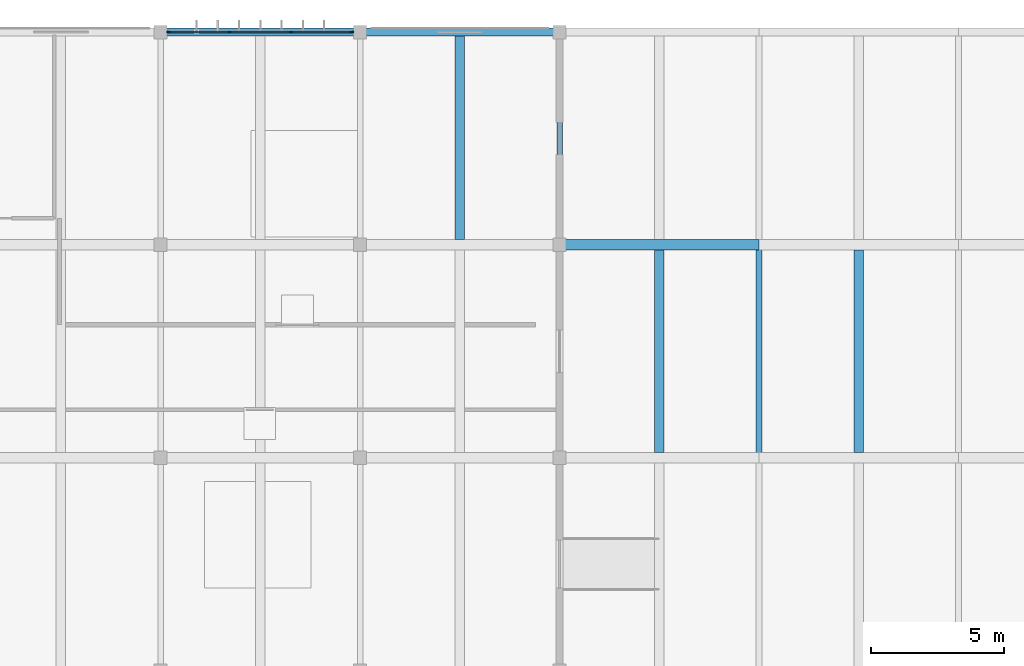
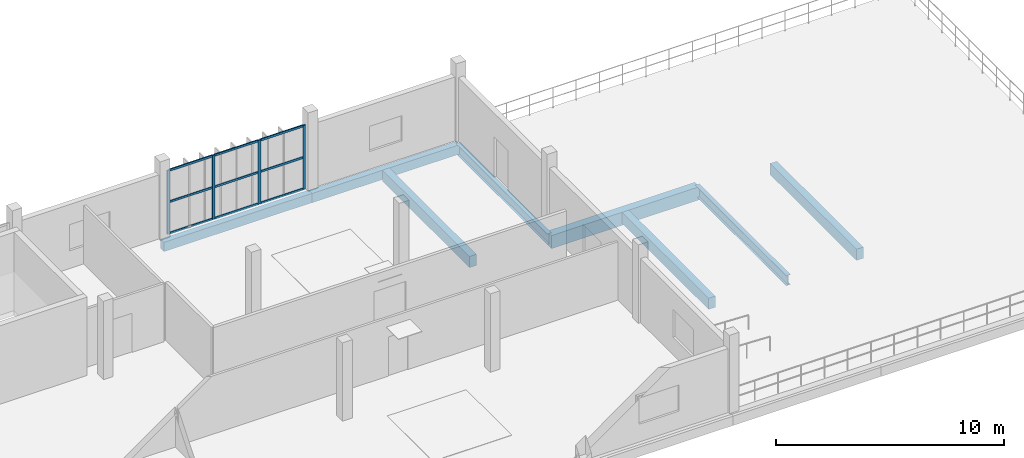
# One storey, part 13 of 27: 13 members, 8 beams, 1 element without a shape of its own.
"""IFC4 building model written with IfcOpenShell, lengths in metres."""

import ifcopenshell
import ifcopenshell.guid

model = None  # the IFC model being written
_history = None  # IfcOwnerHistory: only IFC2X3 demands one
_inside = {}  # id of a spatial element -> (the spatial element, [elements in it])
_under = {}  # id of a project, library or spatial element -> (it, [spatial elements below it])
_declared = {}  # id of a project -> (the project, [libraries it declares])
_typed = {}  # id of a type object -> (the type object, [elements of that type])
_made_of = {}  # id of a material, layer set ... -> (it, [elements and type objects made of it])


def new_model(schema):
    """Start an empty IFC model of exactly this schema.

    Asked for "IFC4X3", IfcOpenShell would pick the latest addendum, in which some entities
    have other attributes; the version numbers below select the first issue.
    IFC2X3 requires an IfcOwnerHistory on every rooted entity: one is made here for all.
    """
    global model, _history
    if schema == "IFC4X3":
        model = ifcopenshell.file(schema_version=(4, 3, 0, 0))
    else:
        model = ifcopenshell.file(schema=schema)
    _inside.clear()
    _under.clear()
    _declared.clear()
    _typed.clear()
    _made_of.clear()
    _history = None
    if model.schema == "IFC2X3":
        org = make("IfcOrganization", Name="unknown")
        user = make(
            "IfcPersonAndOrganization",
            ThePerson=make("IfcPerson", FamilyName="unknown"),
            TheOrganization=org,
        )
        app = make(
            "IfcApplication",
            ApplicationDeveloper=org,
            Version="unknown",
            ApplicationFullName="unknown",
            ApplicationIdentifier="unknown",
        )
        _history = make(
            "IfcOwnerHistory",
            OwningUser=user,
            OwningApplication=app,
            ChangeAction="ADDED",
            CreationDate=0,
        )
    return model


def make(cls, **values):
    """One entity of the class cls with the attributes given. An attribute that is None is left unset."""
    return model.create_entity(
        cls, **{name: value for name, value in values.items() if value is not None}
    )


def rooted(cls, **values):
    """An entity with a GlobalId (a new one), such as an element, a storey or a relation."""
    return make(cls, GlobalId=ifcopenshell.guid.new(), OwnerHistory=_history, **values)


def si_unit(unit_type, name, prefix=None):
    """IfcSIUnit, for example si_unit("LENGTHUNIT", "METRE", prefix="MILLI")."""
    return make("IfcSIUnit", UnitType=unit_type, Prefix=prefix, Name=name)


def assignment(units):
    """IfcUnitAssignment: the units of a project."""
    return None if units is None else make("IfcUnitAssignment", Units=units)


def point(xyz):
    """IfcCartesianPoint."""
    return None if xyz is None else make("IfcCartesianPoint", Coordinates=xyz)


def direction(xyz):
    """IfcDirection."""
    return None if xyz is None else make("IfcDirection", DirectionRatios=xyz)


def frame(location, z_axis=None, x_axis=None):
    """IfcAxis2Placement3D, a coordinate frame: its origin and axes. An axis left out is left unset."""
    return make(
        "IfcAxis2Placement3D",
        Location=point(location),
        Axis=direction(z_axis),
        RefDirection=direction(x_axis),
    )


def frame_2d(location, x_axis=None):
    """IfcAxis2Placement2D, a coordinate frame in the plane: its origin and x axis."""
    return make(
        "IfcAxis2Placement2D", Location=point(location), RefDirection=direction(x_axis)
    )


def origin():
    """The frame at (0, 0, 0) with its axes left unset."""
    return frame((0.0, 0.0, 0.0))


def origin_2d():
    """The frame at (0, 0) in the plane with its x axis left unset."""
    return frame_2d((0.0, 0.0))


def place(relative_to, where):
    """IfcLocalPlacement: puts the frame where relative to a parent placement (None: the world)."""
    return make(
        "IfcLocalPlacement", PlacementRelTo=relative_to, RelativePlacement=where
    )


def context(
    kind, dimensions, precision=None, world=None, true_north=None, identifier=None
):
    """IfcGeometricRepresentationContext, for example the 3D "Model" context."""
    return make(
        "IfcGeometricRepresentationContext",
        ContextIdentifier=identifier,
        ContextType=kind,
        CoordinateSpaceDimension=dimensions,
        Precision=precision,
        WorldCoordinateSystem=world,
        TrueNorth=true_north,
    )


def subcontext(parent, identifier, kind, view, scale=None):
    """IfcGeometricRepresentationSubContext, for example "Body" below "Model"."""
    return make(
        "IfcGeometricRepresentationSubContext",
        ContextIdentifier=identifier,
        ContextType=kind,
        ParentContext=parent,
        TargetScale=scale,
        TargetView=view,
    )


def project(units=None, contexts=None):
    """IfcProject with its units and contexts."""
    return rooted(
        "IfcProject",
        Name="project",
        RepresentationContexts=contexts,
        UnitsInContext=assignment(units),
    )


def spatial(cls, under=None, at=None, **own):
    """A site, building, storey or space (cls), placed at a placement, below another one or the project."""
    s = rooted(cls, ObjectPlacement=at, **own)
    if under is not None:
        _under.setdefault(under.id(), (under, []))[1].append(s)
    return s


def profile(cls, at=None, kind="AREA", **sizes):
    """A parametric profile (cls). Its sizes go by their IFC names, for example OverallWidth=200.0."""
    return make(cls, ProfileType=kind, Position=at, **sizes)


def rectangle(**sizes):
    """IfcRectangleProfileDef."""
    return profile("IfcRectangleProfileDef", **sizes)


def i_section(**sizes):
    """IfcIShapeProfileDef."""
    return profile("IfcIShapeProfileDef", **sizes)


def extrude(swept, where, along, depth):
    """IfcExtrudedAreaSolid: the profile swept, set in the frame where, extruded along a direction by depth."""
    return make(
        "IfcExtrudedAreaSolid",
        SweptArea=swept,
        Position=where,
        ExtrudedDirection=direction(along),
        Depth=depth,
    )


def shape(context_of_items, identifier, shape_type, items):
    """IfcShapeRepresentation: the items that make up one representation, for example the "Body"."""
    return make(
        "IfcShapeRepresentation",
        ContextOfItems=context_of_items,
        RepresentationIdentifier=identifier,
        RepresentationType=shape_type,
        Items=items,
    )


def material(Name=None, Category=None):
    """IfcMaterial."""
    return make("IfcMaterial", Name=Name, Category=Category)


def material_profile(
    of_material, cross_section, Name=None, Category=None, Priority=None
):
    """IfcMaterialProfile: a cross section and its material."""
    return make(
        "IfcMaterialProfile",
        Name=Name,
        Material=of_material,
        Profile=cross_section,
        Priority=Priority,
        Category=Category,
    )


def profile_set(profiles, Name=None, composite=None):
    """IfcMaterialProfileSet."""
    return make(
        "IfcMaterialProfileSet",
        Name=Name,
        MaterialProfiles=profiles,
        CompositeProfile=composite,
    )


def made_of(thing, what):
    """Note that an element or type object is made of a material, layer set ...; save() writes the relation."""
    if what is not None:
        _made_of.setdefault(what.id(), (what, []))[1].append(thing)
    return thing


def type_object(cls, material=None, **own):
    """A type object (cls), such as IfcWallType, which elements share."""
    return made_of(rooted(cls, **own), material)


def element(
    cls,
    number,
    at=None,
    inside=None,
    cuts=None,
    type_object=None,
    material=None,
    context=None,
    identifier="Body",
    shape_type=None,
    held_by="IfcProductDefinitionShape",
    body=None,
    shapes=None,
    **own,
):
    """One element of the class cls, such as IfcWall. Its Tag is "e" and its number.

    at: its placement. inside: the storey or other place that contains it. cuts: it is an
    opening in that element (IfcRelVoidsElement). A single representation is given by context,
    identifier, shape_type and body (its items); several are given by shapes. held_by: the class
    of the entity that holds the representations. save() writes the other relations.
    """
    e = rooted(cls, Tag="e%d" % number, ObjectPlacement=at, **own)
    if body is not None:
        shapes = [shape(context, identifier, shape_type, body)]
    if shapes is not None:
        e.Representation = make(held_by, Representations=shapes)
    if inside is not None:
        _inside.setdefault(inside.id(), (inside, []))[1].append(e)
    if cuts is not None:
        rooted(
            "IfcRelVoidsElement", RelatingBuildingElement=cuts, RelatedOpeningElement=e
        )
    if type_object is not None:
        _typed.setdefault(type_object.id(), (type_object, []))[1].append(e)
    return made_of(e, material)


def aggregate(whole, parts):
    """IfcRelAggregates: a whole, such as a stair, and the parts it consists of."""
    return rooted("IfcRelAggregates", RelatingObject=whole, RelatedObjects=parts)


def save(model, path):
    """Write the relations noted so far, then the file.

    IfcRelAggregates (storeys below a building ...), IfcRelContainedInSpatialStructure (elements
    in a storey), IfcRelDefinesByType, IfcRelAssociatesMaterial and IfcRelDeclares: one each for
    every whole, place, type object, material and project.
    """
    for whole, parts in _under.values():
        aggregate(whole, parts)
    for where, things in _inside.values():
        rooted(
            "IfcRelContainedInSpatialStructure",
            RelatedElements=things,
            RelatingStructure=where,
        )
    for kind, things in _typed.values():
        rooted("IfcRelDefinesByType", RelatedObjects=things, RelatingType=kind)
    for what, things in _made_of.values():
        rooted("IfcRelAssociatesMaterial", RelatedObjects=things, RelatingMaterial=what)
    for by, libraries in _declared.values():
        rooted("IfcRelDeclares", RelatingContext=by, RelatedDefinitions=libraries)
    model.write(path)


model = new_model("IFC4")

# Units and contexts
model_context = context("Model", 3, precision=1e-05, world=origin(), true_north=direction((0.0, 1.0)))
body_context = subcontext(model_context, "Body", "Model", "MODEL_VIEW")
ifc_project = project(units=[si_unit("LENGTHUNIT", "METRE"), si_unit("AREAUNIT", "SQUARE_METRE"), si_unit("VOLUMEUNIT", "CUBIC_METRE"), si_unit("PLANEANGLEUNIT", "RADIAN"), si_unit("MASSUNIT", "GRAM", prefix="KILO")], contexts=[model_context])

# Site, building, storey
site_placement = place(None, origin())
site = spatial("IfcSite", under=ifc_project, at=site_placement, CompositionType="ELEMENT")
building_placement = place(site_placement, origin())
building = spatial("IfcBuilding", under=site, at=building_placement, Name="Vourika Railside Aquatics Centre", CompositionType="ELEMENT")
storey_placement = place(building_placement, frame((0.0, 0.0, 13.5)))
storey = spatial("IfcBuildingStorey", under=building, at=storey_placement, Name="L03", CompositionType="ELEMENT", Elevation=13.5)

# Beams
ifc_material_1 = material(Name="Concrete C35/45", Category="concrete")
ifc_material_profile_1 = material_profile(ifc_material_1, rectangle(XDim=0.39990234375, YDim=0.699951171875, at=origin_2d()), Name="RC 400x700")
ifc_profile_set_1 = profile_set([ifc_material_profile_1], Name="Concrete C35/45")
beam_type_1 = type_object("IfcBeamType", Name="BM-GIRD-400x700", PredefinedType="BEAM", material=ifc_profile_set_1)
beam_1_placement = place(storey_placement, frame((111.0, 108.0, -0.6201171875), z_axis=(1.0, 0.0, 0.0), x_axis=(0.0, 1.0, 0.0)))
element("IfcBeam", 1, at=beam_1_placement, inside=storey, type_object=beam_type_1, Name="Floor Beam GX-L03-082", PredefinedType="BEAM", context=body_context, shape_type="SweptSolid", body=[
    extrude(rectangle(XDim=0.39990234375, YDim=0.699951171875, at=origin_2d()), origin(), (0.0, 0.0, 1.0), 7.5),
])
ifc_material_profile_2 = material_profile(ifc_material_1, rectangle(XDim=0.35009765625, YDim=0.60009765625, at=origin_2d()), Name="RC 350x600")
ifc_profile_set_2 = profile_set([ifc_material_profile_2], Name="Concrete C35/45")
beam_type_2 = type_object("IfcBeamType", Name="BM-SEC-350x600", PredefinedType="JOIST", material=ifc_profile_set_2)
for number, where, z_axis, x_axis, name in (
    (2, (114.75, 100.199951171875, -0.570068359375), (0.0, 1.0, 0.0), (-1.0, 0.0, 0.0), "Secondary Joist JY-L03-241"),
    (3, (122.25, 100.199951171875, -0.570068359375), (0.0, 1.0, 0.0), (-1.0, 0.0, 0.0), "Secondary Joist JY-L03-242"),
):
    element("IfcBeam", number, at=place(storey_placement, frame(where, z_axis=z_axis, x_axis=x_axis)), inside=storey, type_object=beam_type_2, Name=name, PredefinedType="JOIST", context=body_context, shape_type="SweptSolid", body=[
        extrude(rectangle(XDim=0.35009765625, YDim=0.60009765625, at=origin_2d()), origin(), (0.0, 0.0, 1.0), 7.60009765625),
    ])
beam_2_placement = place(storey_placement, frame((107.25, 108.199951171875, -0.56005859375), z_axis=(0.0, 1.0, 0.0), x_axis=(-1.0, 0.0, 0.0)))
element("IfcBeam", 4, at=beam_2_placement, inside=storey, type_object=beam_type_2, Name="Secondary Joist JY-L03-249", PredefinedType="JOIST", context=body_context, shape_type="SweptSolid", body=[
    extrude(rectangle(XDim=0.35009765625, YDim=0.60009765625, at=origin_2d()), origin(), (0.0, 0.0, 1.0), 7.650146484375),
])
ifc_material_profile_3 = material_profile(ifc_material_1, rectangle(XDim=0.300048828125, YDim=0.5, at=origin_2d()), Name="RC 300x500")
ifc_profile_set_3 = profile_set([ifc_material_profile_3], Name="Concrete C35/45")
beam_type_3 = type_object("IfcBeamType", Name="BM-SPAN-300x500", PredefinedType="SPANDREL", material=ifc_profile_set_3)
for number, where, z_axis, x_axis, name in (
    (5, (96.0, 116.0, -0.510009765625), (1.0, 0.0, 0.0), (0.0, 1.0, 0.0), "Floor Beam GX-L03-095"),
    (6, (103.5, 116.0, -0.52001953125), (1.0, 0.0, 0.0), (0.0, 1.0, 0.0), "Floor Beam GX-L03-096"),
):
    element("IfcBeam", number, at=place(storey_placement, frame(where, z_axis=z_axis, x_axis=x_axis)), inside=storey, type_object=beam_type_3, Name=name, PredefinedType="SPANDREL", context=body_context, shape_type="SweptSolid", body=[
        extrude(rectangle(XDim=0.300048828125, YDim=0.5, at=origin_2d()), origin(), (0.0, 0.0, 1.0), 7.5),
    ])
ifc_material_2 = material(Name="Steel S355J2", Category="steel")
ifc_material_profile_4 = material_profile(ifc_material_2, i_section(OverallWidth=0.2099609375, OverallDepth=0.550048828125, WebThickness=0.010986328125, FlangeThickness=0.01708984375, at=origin_2d()), Name="IPE 550")
ifc_profile_set_4 = profile_set([ifc_material_profile_4], Name="Steel S355J2")
beam_type_4 = type_object("IfcBeamType", Name="BM-STL-IPE550", PredefinedType="BEAM", material=ifc_profile_set_4)
for number, where, z_axis, x_axis, name in (
    (7, (111.0, 108.0, -0.544921875), (0.0, 1.0, 0.0), (-1.0, 0.0, 0.0), "Floor Girder GY-L03-154"),
    (8, (118.5, 100.0, -0.544921875), (0.0, 1.0, 0.0), (-1.0, 0.0, 0.0), "Floor Girder GY-L03-156"),
):
    element("IfcBeam", number, at=place(storey_placement, frame(where, z_axis=z_axis, x_axis=x_axis)), inside=storey, type_object=beam_type_4, Name=name, PredefinedType="BEAM", context=body_context, shape_type="SweptSolid", body=[
        extrude(i_section(OverallWidth=0.2099609375, OverallDepth=0.550048828125, WebThickness=0.010986328125, FlangeThickness=0.01708984375, at=origin_2d()), origin(), (0.0, 0.0, 1.0), 8.0),
    ])

# Curtain wall, members
ifc_material_3 = material(Name="Anodized thermally broken aluminium", Category="aluminium")
curtain_wall_type = type_object("IfcCurtainWallType", Name="CW-FIT3", PredefinedType="NOTDEFINED", material=ifc_material_3)
curtain_wall_placement = place(storey_placement, origin())
curtain_wall = element("IfcCurtainWall", 9, at=curtain_wall_placement, inside=storey, type_object=curtain_wall_type, Name="North Boulevard Curtain Wall L03-11", PredefinedType="NOTDEFINED")
ifc_material_4 = material(Name="Anodized aluminium mullion", Category="aluminium")
ifc_material_profile_5 = material_profile(ifc_material_4, rectangle(XDim=0.05810546875, YDim=0.14208984375, at=origin_2d()), Name="ALU-M 58x142")
ifc_profile_set_5 = profile_set([ifc_material_profile_5], Name="Anodized aluminium mullion")
member_type_1 = type_object("IfcMemberType", Name="CWM-FIT3", PredefinedType="MULLION", material=ifc_profile_set_5)
member_1_placement = place(storey_placement, frame((103.19091796875, 116.0, 0.0), z_axis=(0.0, 0.0, 1.0), x_axis=(0.0, -1.0, 0.0)))
member_1 = element("IfcMember", 10, at=member_1_placement, type_object=member_type_1, Name="CW17 mullion 1", PredefinedType="MULLION", context=body_context, shape_type="SweptSolid", body=[
    extrude(rectangle(XDim=0.05810546875, YDim=0.14208984375, at=origin_2d()), origin(), (0.0, 0.0, 1.0), 3.429931640625),
])
member_2_placement = place(storey_placement, frame((100.90673828125, 116.0, 0.0), z_axis=(0.0, 0.0, 1.0), x_axis=(0.0, -1.0, 0.0)))
member_2 = element("IfcMember", 11, at=member_2_placement, type_object=member_type_1, Name="CW17 mullion 2", PredefinedType="MULLION", context=body_context, shape_type="SweptSolid", body=[
    extrude(rectangle(XDim=0.05810546875, YDim=0.14208984375, at=origin_2d()), origin(), (0.0, 0.0, 1.0), 3.429931640625),
])
member_3_placement = place(storey_placement, frame((98.59326171875, 116.0, 0.0), z_axis=(0.0, 0.0, 1.0), x_axis=(0.0, -1.0, 0.0)))
member_3 = element("IfcMember", 12, at=member_3_placement, type_object=member_type_1, Name="CW17 mullion 3", PredefinedType="MULLION", context=body_context, shape_type="SweptSolid", body=[
    extrude(rectangle(XDim=0.05810546875, YDim=0.14208984375, at=origin_2d()), origin(), (0.0, 0.0, 1.0), 3.429931640625),
])
member_4_placement = place(storey_placement, frame((96.30908203125, 116.0, 0.0), z_axis=(0.0, 0.0, 1.0), x_axis=(0.0, -1.0, 0.0)))
member_4 = element("IfcMember", 13, at=member_4_placement, type_object=member_type_1, Name="CW17 mullion 4", PredefinedType="MULLION", context=body_context, shape_type="SweptSolid", body=[
    extrude(rectangle(XDim=0.05810546875, YDim=0.14208984375, at=origin_2d()), origin(), (0.0, 0.0, 1.0), 3.429931640625),
])
ifc_material_5 = material(Name="Anodized aluminium transom", Category="aluminium")
ifc_material_profile_6 = material_profile(ifc_material_5, rectangle(XDim=0.05810546875, YDim=0.112060546875, at=origin_2d()), Name="ALU-T 58x112")
ifc_profile_set_6 = profile_set([ifc_material_profile_6], Name="Anodized aluminium transom")
member_type_2 = type_object("IfcMemberType", Name="CWT-FIT3", PredefinedType="USERDEFINED", material=ifc_profile_set_6)
member_5_placement = place(storey_placement, frame((103.162109375, 116.0, 0.029052734375), z_axis=(-1.0, 0.0, 0.0), x_axis=(0.0, -1.0, 0.0)))
member_5 = element("IfcMember", 14, at=member_5_placement, type_object=member_type_2, Name="CW17 transom 1.1", ObjectType="TRANSOM", PredefinedType="USERDEFINED", context=body_context, shape_type="SweptSolid", body=[
    extrude(rectangle(XDim=0.05810546875, YDim=0.112060546875, at=origin_2d()), origin(), (0.0, 0.0, 1.0), 2.2265625),
])
member_6_placement = place(storey_placement, frame((103.162109375, 116.0, 1.715087890625), z_axis=(-1.0, 0.0, 0.0), x_axis=(0.0, -1.0, 0.0)))
member_6 = element("IfcMember", 15, at=member_6_placement, type_object=member_type_2, Name="CW17 transom 1.2", ObjectType="TRANSOM", PredefinedType="USERDEFINED", context=body_context, shape_type="SweptSolid", body=[
    extrude(rectangle(XDim=0.05810546875, YDim=0.112060546875, at=origin_2d()), origin(), (0.0, 0.0, 1.0), 2.2265625),
])
member_7_placement = place(storey_placement, frame((103.162109375, 116.0, 3.40087890625), z_axis=(-1.0, 0.0, 0.0), x_axis=(0.0, -1.0, 0.0)))
member_7 = element("IfcMember", 16, at=member_7_placement, type_object=member_type_2, Name="CW17 transom 1.3", ObjectType="TRANSOM", PredefinedType="USERDEFINED", context=body_context, shape_type="SweptSolid", body=[
    extrude(rectangle(XDim=0.05810546875, YDim=0.112060546875, at=origin_2d()), origin(), (0.0, 0.0, 1.0), 2.2265625),
])
member_8_placement = place(storey_placement, frame((100.877685546875, 116.0, 0.029052734375), z_axis=(-1.0, 0.0, 0.0), x_axis=(0.0, -1.0, 0.0)))
member_8 = element("IfcMember", 17, at=member_8_placement, type_object=member_type_2, Name="CW17 transom 2.1", ObjectType="TRANSOM", PredefinedType="USERDEFINED", context=body_context, shape_type="SweptSolid", body=[
    extrude(rectangle(XDim=0.05810546875, YDim=0.112060546875, at=origin_2d()), origin(), (0.0, 0.0, 1.0), 2.25537109375),
])
member_9_placement = place(storey_placement, frame((100.877685546875, 116.0, 1.715087890625), z_axis=(-1.0, 0.0, 0.0), x_axis=(0.0, -1.0, 0.0)))
member_9 = element("IfcMember", 18, at=member_9_placement, type_object=member_type_2, Name="CW17 transom 2.2", ObjectType="TRANSOM", PredefinedType="USERDEFINED", context=body_context, shape_type="SweptSolid", body=[
    extrude(rectangle(XDim=0.05810546875, YDim=0.112060546875, at=origin_2d()), origin(), (0.0, 0.0, 1.0), 2.25537109375),
])
member_10_placement = place(storey_placement, frame((100.877685546875, 116.0, 3.40087890625), z_axis=(-1.0, 0.0, 0.0), x_axis=(0.0, -1.0, 0.0)))
member_10 = element("IfcMember", 19, at=member_10_placement, type_object=member_type_2, Name="CW17 transom 2.3", ObjectType="TRANSOM", PredefinedType="USERDEFINED", context=body_context, shape_type="SweptSolid", body=[
    extrude(rectangle(XDim=0.05810546875, YDim=0.112060546875, at=origin_2d()), origin(), (0.0, 0.0, 1.0), 2.25537109375),
])
member_11_placement = place(storey_placement, frame((98.564453125, 116.0, 0.029052734375), z_axis=(-1.0, 0.0, 0.0), x_axis=(0.0, -1.0, 0.0)))
member_11 = element("IfcMember", 20, at=member_11_placement, type_object=member_type_2, Name="CW17 transom 3.1", ObjectType="TRANSOM", PredefinedType="USERDEFINED", context=body_context, shape_type="SweptSolid", body=[
    extrude(rectangle(XDim=0.05810546875, YDim=0.112060546875, at=origin_2d()), origin(), (0.0, 0.0, 1.0), 2.2265625),
])
member_12_placement = place(storey_placement, frame((98.564453125, 116.0, 1.715087890625), z_axis=(-1.0, 0.0, 0.0), x_axis=(0.0, -1.0, 0.0)))
member_12 = element("IfcMember", 21, at=member_12_placement, type_object=member_type_2, Name="CW17 transom 3.2", ObjectType="TRANSOM", PredefinedType="USERDEFINED", context=body_context, shape_type="SweptSolid", body=[
    extrude(rectangle(XDim=0.05810546875, YDim=0.112060546875, at=origin_2d()), origin(), (0.0, 0.0, 1.0), 2.2265625),
])
member_13_placement = place(storey_placement, frame((98.564453125, 116.0, 3.40087890625), z_axis=(-1.0, 0.0, 0.0), x_axis=(0.0, -1.0, 0.0)))
member_13 = element("IfcMember", 22, at=member_13_placement, type_object=member_type_2, Name="CW17 transom 3.3", ObjectType="TRANSOM", PredefinedType="USERDEFINED", context=body_context, shape_type="SweptSolid", body=[
    extrude(rectangle(XDim=0.05810546875, YDim=0.112060546875, at=origin_2d()), origin(), (0.0, 0.0, 1.0), 2.2265625),
])
aggregate(curtain_wall, [member_1, member_2, member_3, member_4, member_5, member_6, member_7, member_8, member_9, member_10, member_11, member_12, member_13])

save(model, "model.ifc")
